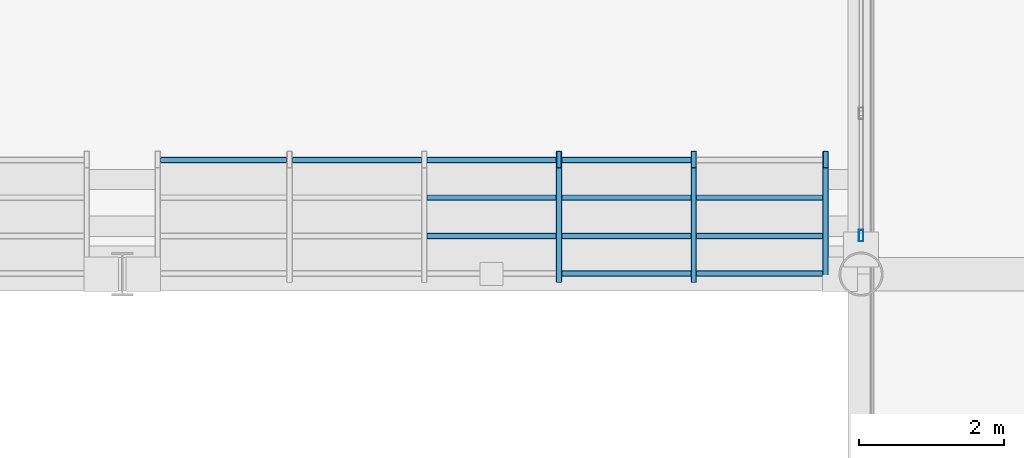
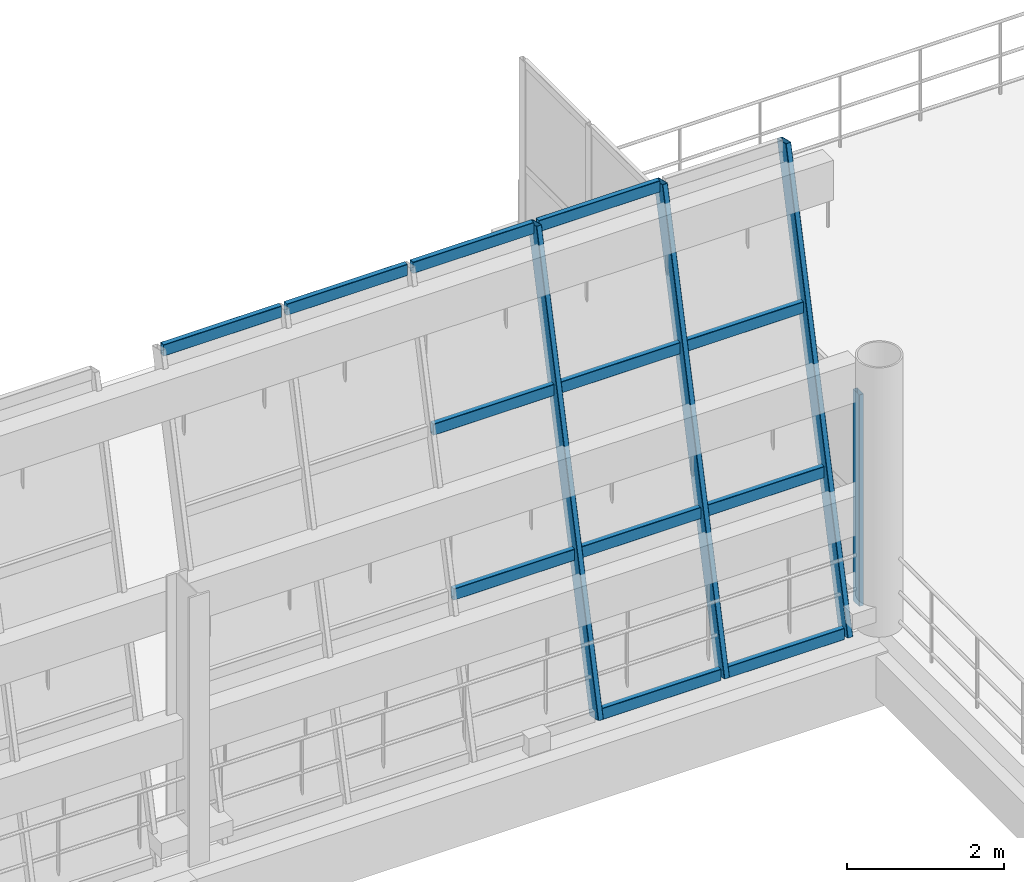
# One storey, part 80 of 157: 16 members, 2 elements without a shape of their own.
"""IFC4 building model written with IfcOpenShell, lengths in metres."""

from ifc_helpers import new_model, si_unit, direction, frame, origin, origin_2d, place, context, subcontext, project, spatial, hollow_rectangle, extrude, material, material_profile, profile_set, type_object, element, aggregate, save


model = new_model("IFC4")

# Units and contexts
model_context = context("Model", 3, precision=1e-05, world=origin(), true_north=direction((0.0, 1.0)))
body_context = subcontext(model_context, "Body", "Model", "MODEL_VIEW")
ifc_project = project(units=[si_unit("LENGTHUNIT", "METRE"), si_unit("AREAUNIT", "SQUARE_METRE"), si_unit("VOLUMEUNIT", "CUBIC_METRE"), si_unit("PLANEANGLEUNIT", "RADIAN"), si_unit("MASSUNIT", "GRAM", prefix="KILO")], contexts=[model_context])

# Site, building, storey
site_placement = place(None, origin())
site = spatial("IfcSite", under=ifc_project, at=site_placement, CompositionType="ELEMENT")
building_placement = place(site_placement, origin())
building = spatial("IfcBuilding", under=site, at=building_placement, Name="Brelvane Convention Centre", CompositionType="ELEMENT")
storey_placement = place(building_placement, frame((0.0, 0.0, 10.800048828125)))
storey = spatial("IfcBuildingStorey", under=building, at=storey_placement, Name="L02", CompositionType="ELEMENT", Elevation=10.800048828125)

# Curtain wall, members
ifc_material_1 = material(Name="Anodised Aluminium Alloy 6063-T6", Category="aluminium")
curtain_wall_type_1 = type_object("IfcCurtainWallType", Name="Curtain Wall CW-HULL-N", PredefinedType="USERDEFINED", material=ifc_material_1)
curtain_wall_1_placement = place(storey_placement, origin())
curtain_wall_1 = element("IfcCurtainWall", 1, at=curtain_wall_1_placement, inside=storey, type_object=curtain_wall_type_1, Name="Curtain Wall CW-HULL-N L02-V1N-HULL-14", ObjectType="UNITISED", PredefinedType="USERDEFINED")
ifc_material_2 = material(Name="Anodised Aluminium Alloy 6063-T6", Category="aluminium")
ifc_material_profile_1 = material_profile(ifc_material_2, hollow_rectangle(XDim=0.080078125, YDim=0.239990234375, WallThickness=0.006103515625, InnerFilletRadius=0.006103515625, OuterFilletRadius=0.011962890625, at=origin_2d()), Name="ALU-M 240x80x6.0")
ifc_profile_set_1 = profile_set([ifc_material_profile_1], Name="Anodised Aluminium Alloy 6063-T6")
member_type_1 = type_object("IfcMemberType", Name="Curtain Mullion CW-M1", PredefinedType="MULLION", material=ifc_profile_set_1)
member_1_placement = place(storey_placement, frame((138.6298828125, 99.60009765625, 0.0), z_axis=(0.0, 0.228324840492, 0.973585007698), x_axis=(-1.0, 0.0, 0.0)))
member_1 = element("IfcMember", 2, at=member_1_placement, type_object=member_type_1, Name="CW-HULL-N mullion 4", PredefinedType="MULLION", context=body_context, shape_type="SweptSolid", body=[
    extrude(hollow_rectangle(XDim=0.080078125, YDim=0.239990234375, WallThickness=0.006103515625, InnerFilletRadius=0.006103515625, OuterFilletRadius=0.011962890625, at=origin_2d()), origin(), (0.0, 0.0, 1.0), 6.93310546875),
])
member_2_placement = place(storey_placement, frame((140.489990234375, 99.60009765625, 0.0), z_axis=(0.0, 0.228324840492, 0.973585007698), x_axis=(-1.0, 0.0, 0.0)))
member_2 = element("IfcMember", 3, at=member_2_placement, type_object=member_type_1, Name="CW-HULL-N mullion 5", PredefinedType="MULLION", context=body_context, shape_type="SweptSolid", body=[
    extrude(hollow_rectangle(XDim=0.080078125, YDim=0.239990234375, WallThickness=0.006103515625, InnerFilletRadius=0.006103515625, OuterFilletRadius=0.011962890625, at=origin_2d()), origin(), (0.0, 0.0, 1.0), 6.93310546875),
])
member_3_placement = place(storey_placement, frame((142.31005859375, 99.60009765625, 0.0), z_axis=(0.0, 0.228324840492, 0.973585007698), x_axis=(-1.0, 0.0, 0.0)))
member_3 = element("IfcMember", 4, at=member_3_placement, type_object=member_type_1, Name="CW-HULL-N mullion 6", PredefinedType="MULLION", context=body_context, shape_type="SweptSolid", body=[
    extrude(hollow_rectangle(XDim=0.080078125, YDim=0.239990234375, WallThickness=0.006103515625, InnerFilletRadius=0.006103515625, OuterFilletRadius=0.011962890625, at=origin_2d()), origin(), (0.0, 0.0, 1.0), 6.93310546875),
])

# Curtain wall, member
ifc_material_3 = material(Name="Anodised Aluminium Alloy 6063-T6", Category="aluminium")
curtain_wall_type_2 = type_object("IfcCurtainWallType", Name="Curtain Wall CW-PAV", PredefinedType="USERDEFINED", material=ifc_material_3)
curtain_wall_2_placement = place(storey_placement, origin())
curtain_wall_2 = element("IfcCurtainWall", 5, at=curtain_wall_2_placement, inside=storey, type_object=curtain_wall_type_2, Name="Curtain Wall CW-PAV L02-COURT-E-CW-L02", ObjectType="UNITISED", PredefinedType="USERDEFINED")
ifc_material_4 = material(Name="Anodised Aluminium Alloy 6063-T6", Category="aluminium")
ifc_material_profile_2 = material_profile(ifc_material_4, hollow_rectangle(XDim=0.06494140625, YDim=0.159912109375, WallThickness=0.00390625, InnerFilletRadius=0.00390625, OuterFilletRadius=0.008056640625, at=origin_2d()), Name="ALU-M 160x65x4.0")
ifc_profile_set_2 = profile_set([ifc_material_profile_2], Name="Anodised Aluminium Alloy 6063-T6")
member_type_2 = type_object("IfcMemberType", Name="Curtain Mullion CW-M3", PredefinedType="MULLION", material=ifc_profile_set_2)
member_4_placement = place(storey_placement, frame((142.800048828125, 100.132568359375, 0.0), z_axis=(0.0, 0.0, 1.0), x_axis=(-1.0, 0.0, 0.0)))
member_4 = element("IfcMember", 6, at=member_4_placement, type_object=member_type_2, Name="CW-PAV mullion 1", PredefinedType="MULLION", context=body_context, shape_type="SweptSolid", body=[
    extrude(hollow_rectangle(XDim=0.06494140625, YDim=0.159912109375, WallThickness=0.00390625, InnerFilletRadius=0.00390625, OuterFilletRadius=0.008056640625, at=origin_2d()), origin(), (0.0, 0.0, 1.0), 3.300048828125),
])
aggregate(curtain_wall_2, [member_4])

# Member
ifc_material_5 = material(Name="Anodised Aluminium Alloy 6063-T6", Category="aluminium")
ifc_material_profile_3 = material_profile(ifc_material_5, hollow_rectangle(XDim=0.080078125, YDim=0.179931640625, WallThickness=0.0048828125, InnerFilletRadius=0.0048828125, OuterFilletRadius=0.010009765625, at=origin_2d()), Name="ALU-T 180x80x5.0")
ifc_profile_set_3 = profile_set([ifc_material_profile_3], Name="Anodised Aluminium Alloy 6063-T6")
member_type_3 = type_object("IfcMemberType", Name="Curtain Transom CW-T1", PredefinedType="USERDEFINED", material=ifc_profile_set_3)
member_5_placement = place(storey_placement, frame((133.1298828125, 101.173828125, 6.7099609375), z_axis=(1.0, 0.0, 0.0), x_axis=(0.0, 1.0, 0.0)))
member_5 = element("IfcMember", 7, at=member_5_placement, type_object=member_type_3, Name="CW-HULL-N transom 1.4", ObjectType="TRANSOM", PredefinedType="USERDEFINED", context=body_context, shape_type="SweptSolid", body=[
    extrude(hollow_rectangle(XDim=0.080078125, YDim=0.179931640625, WallThickness=0.0048828125, InnerFilletRadius=0.0048828125, OuterFilletRadius=0.010009765625, at=origin_2d()), origin(), (0.0, 0.0, 1.0), 1.740234375),
])

member_6_placement = place(storey_placement, frame((134.949951171875, 101.173828125, 6.7099609375), z_axis=(1.0, 0.0, 0.0), x_axis=(0.0, 1.0, 0.0)))
member_6 = element("IfcMember", 8, at=member_6_placement, type_object=member_type_3, Name="CW-HULL-N transom 2.4", ObjectType="TRANSOM", PredefinedType="USERDEFINED", context=body_context, shape_type="SweptSolid", body=[
    extrude(hollow_rectangle(XDim=0.080078125, YDim=0.179931640625, WallThickness=0.0048828125, InnerFilletRadius=0.0048828125, OuterFilletRadius=0.010009765625, at=origin_2d()), origin(), (0.0, 0.0, 1.0), 1.780029296875),
])

member_7_placement = place(storey_placement, frame((136.81005859375, 100.127685546875, 2.25), z_axis=(1.0, 0.0, 0.0), x_axis=(0.0, 1.0, 0.0)))
member_7 = element("IfcMember", 9, at=member_7_placement, type_object=member_type_3, Name="CW-HULL-N transom 3.2", ObjectType="TRANSOM", PredefinedType="USERDEFINED", context=body_context, shape_type="SweptSolid", body=[
    extrude(hollow_rectangle(XDim=0.080078125, YDim=0.179931640625, WallThickness=0.0048828125, InnerFilletRadius=0.0048828125, OuterFilletRadius=0.010009765625, at=origin_2d()), origin(), (0.0, 0.0, 1.0), 1.780029296875),
])

member_8_placement = place(storey_placement, frame((136.81005859375, 100.655517578125, 4.5), z_axis=(1.0, 0.0, 0.0), x_axis=(0.0, 1.0, 0.0)))
member_8 = element("IfcMember", 10, at=member_8_placement, type_object=member_type_3, Name="CW-HULL-N transom 3.3", ObjectType="TRANSOM", PredefinedType="USERDEFINED", context=body_context, shape_type="SweptSolid", body=[
    extrude(hollow_rectangle(XDim=0.080078125, YDim=0.179931640625, WallThickness=0.0048828125, InnerFilletRadius=0.0048828125, OuterFilletRadius=0.010009765625, at=origin_2d()), origin(), (0.0, 0.0, 1.0), 1.780029296875),
])

member_9_placement = place(storey_placement, frame((136.81005859375, 101.173828125, 6.7099609375), z_axis=(1.0, 0.0, 0.0), x_axis=(0.0, 1.0, 0.0)))
member_9 = element("IfcMember", 11, at=member_9_placement, type_object=member_type_3, Name="CW-HULL-N transom 3.4", ObjectType="TRANSOM", PredefinedType="USERDEFINED", context=body_context, shape_type="SweptSolid", body=[
    extrude(hollow_rectangle(XDim=0.080078125, YDim=0.179931640625, WallThickness=0.0048828125, InnerFilletRadius=0.0048828125, OuterFilletRadius=0.010009765625, at=origin_2d()), origin(), (0.0, 0.0, 1.0), 1.780029296875),
])

member_10_placement = place(storey_placement, frame((138.669921875, 99.609375, 0.0400390625), z_axis=(1.0, 0.0, 0.0), x_axis=(0.0, 1.0, 0.0)))
member_10 = element("IfcMember", 12, at=member_10_placement, type_object=member_type_3, Name="CW-HULL-N transom 4.1", ObjectType="TRANSOM", PredefinedType="USERDEFINED", context=body_context, shape_type="SweptSolid", body=[
    extrude(hollow_rectangle(XDim=0.080078125, YDim=0.179931640625, WallThickness=0.0048828125, InnerFilletRadius=0.0048828125, OuterFilletRadius=0.010009765625, at=origin_2d()), origin(), (0.0, 0.0, 1.0), 1.780029296875),
])

member_11_placement = place(storey_placement, frame((138.669921875, 100.127685546875, 2.25), z_axis=(1.0, 0.0, 0.0), x_axis=(0.0, 1.0, 0.0)))
member_11 = element("IfcMember", 13, at=member_11_placement, type_object=member_type_3, Name="CW-HULL-N transom 4.2", ObjectType="TRANSOM", PredefinedType="USERDEFINED", context=body_context, shape_type="SweptSolid", body=[
    extrude(hollow_rectangle(XDim=0.080078125, YDim=0.179931640625, WallThickness=0.0048828125, InnerFilletRadius=0.0048828125, OuterFilletRadius=0.010009765625, at=origin_2d()), origin(), (0.0, 0.0, 1.0), 1.780029296875),
])

member_12_placement = place(storey_placement, frame((138.669921875, 100.655517578125, 4.5), z_axis=(1.0, 0.0, 0.0), x_axis=(0.0, 1.0, 0.0)))
member_12 = element("IfcMember", 14, at=member_12_placement, type_object=member_type_3, Name="CW-HULL-N transom 4.3", ObjectType="TRANSOM", PredefinedType="USERDEFINED", context=body_context, shape_type="SweptSolid", body=[
    extrude(hollow_rectangle(XDim=0.080078125, YDim=0.179931640625, WallThickness=0.0048828125, InnerFilletRadius=0.0048828125, OuterFilletRadius=0.010009765625, at=origin_2d()), origin(), (0.0, 0.0, 1.0), 1.780029296875),
])

member_13_placement = place(storey_placement, frame((138.669921875, 101.173828125, 6.7099609375), z_axis=(1.0, 0.0, 0.0), x_axis=(0.0, 1.0, 0.0)))
member_13 = element("IfcMember", 15, at=member_13_placement, type_object=member_type_3, Name="CW-HULL-N transom 4.4", ObjectType="TRANSOM", PredefinedType="USERDEFINED", context=body_context, shape_type="SweptSolid", body=[
    extrude(hollow_rectangle(XDim=0.080078125, YDim=0.179931640625, WallThickness=0.0048828125, InnerFilletRadius=0.0048828125, OuterFilletRadius=0.010009765625, at=origin_2d()), origin(), (0.0, 0.0, 1.0), 1.780029296875),
])

member_14_placement = place(storey_placement, frame((140.530029296875, 99.609375, 0.0400390625), z_axis=(1.0, 0.0, 0.0), x_axis=(0.0, 1.0, 0.0)))
member_14 = element("IfcMember", 16, at=member_14_placement, type_object=member_type_3, Name="CW-HULL-N transom 5.1", ObjectType="TRANSOM", PredefinedType="USERDEFINED", context=body_context, shape_type="SweptSolid", body=[
    extrude(hollow_rectangle(XDim=0.080078125, YDim=0.179931640625, WallThickness=0.0048828125, InnerFilletRadius=0.0048828125, OuterFilletRadius=0.010009765625, at=origin_2d()), origin(), (0.0, 0.0, 1.0), 1.739990234375),
])

member_15_placement = place(storey_placement, frame((140.530029296875, 100.127685546875, 2.25), z_axis=(1.0, 0.0, 0.0), x_axis=(0.0, 1.0, 0.0)))
member_15 = element("IfcMember", 17, at=member_15_placement, type_object=member_type_3, Name="CW-HULL-N transom 5.2", ObjectType="TRANSOM", PredefinedType="USERDEFINED", context=body_context, shape_type="SweptSolid", body=[
    extrude(hollow_rectangle(XDim=0.080078125, YDim=0.179931640625, WallThickness=0.0048828125, InnerFilletRadius=0.0048828125, OuterFilletRadius=0.010009765625, at=origin_2d()), origin(), (0.0, 0.0, 1.0), 1.739990234375),
])

member_16_placement = place(storey_placement, frame((140.530029296875, 100.655517578125, 4.5), z_axis=(1.0, 0.0, 0.0), x_axis=(0.0, 1.0, 0.0)))
member_16 = element("IfcMember", 18, at=member_16_placement, type_object=member_type_3, Name="CW-HULL-N transom 5.3", ObjectType="TRANSOM", PredefinedType="USERDEFINED", context=body_context, shape_type="SweptSolid", body=[
    extrude(hollow_rectangle(XDim=0.080078125, YDim=0.179931640625, WallThickness=0.0048828125, InnerFilletRadius=0.0048828125, OuterFilletRadius=0.010009765625, at=origin_2d()), origin(), (0.0, 0.0, 1.0), 1.739990234375),
])

aggregate(curtain_wall_1, [member_1, member_2, member_3, member_5, member_6, member_7, member_8, member_9, member_10, member_11, member_12, member_13, member_14, member_15, member_16])

save(model, "model.ifc")
